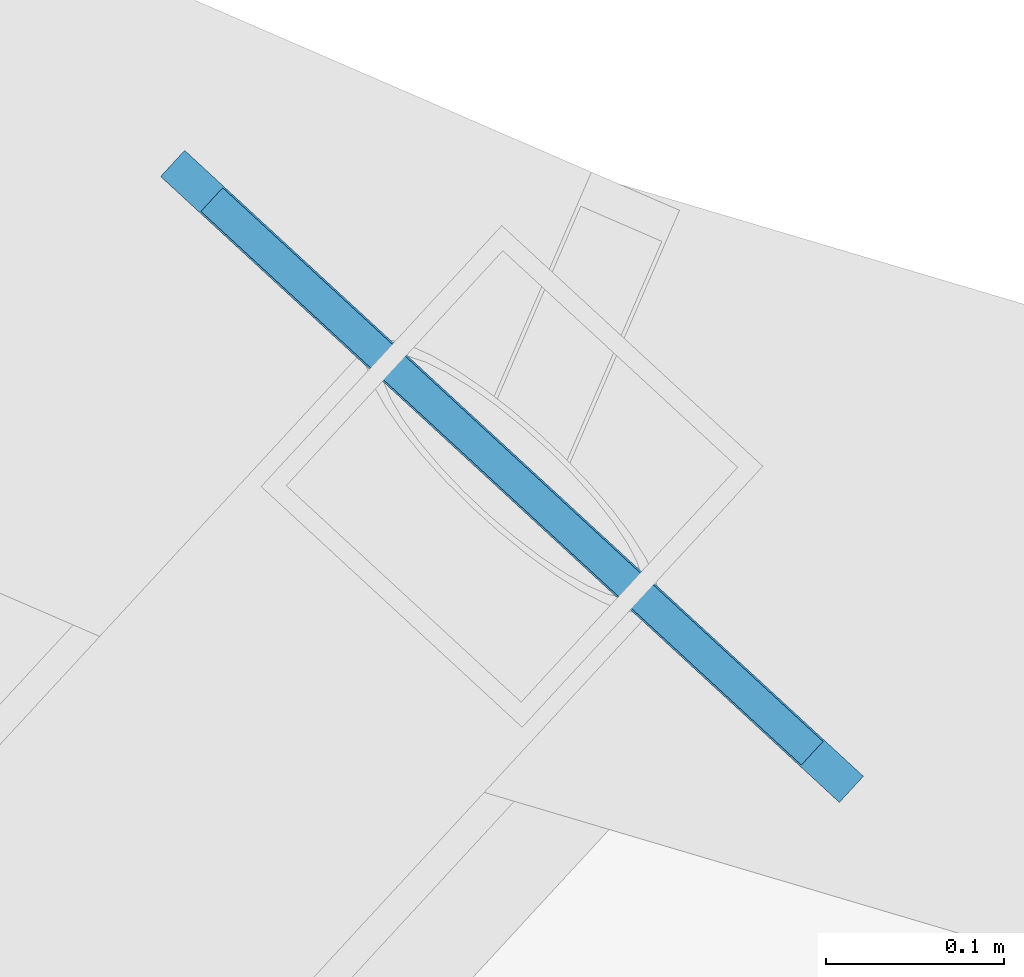
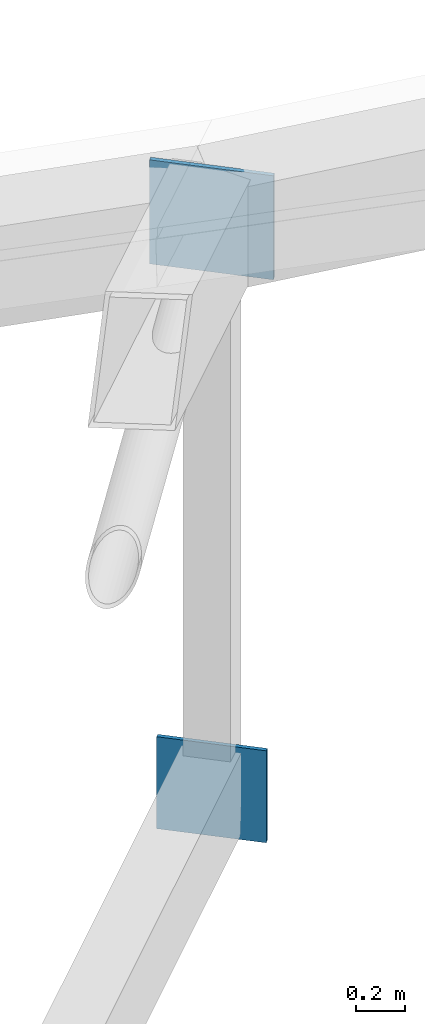
# One storey, part 114 of 143: 2 plates.
"""IFC4 building model written with IfcOpenShell, lengths in metres."""

from ifc_helpers import new_model, si_unit, direction, frame, origin, origin_2d, place, context, subcontext, project, spatial, rectangle, extrude, material, layer, layer_set, type_object, element, save


model = new_model("IFC4")

# Units and contexts
model_context = context("Model", 3, precision=1e-05, world=origin(), true_north=direction((0.0, 1.0)))
body_context = subcontext(model_context, "Body", "Model", "MODEL_VIEW")
ifc_project = project(units=[si_unit("LENGTHUNIT", "METRE"), si_unit("AREAUNIT", "SQUARE_METRE"), si_unit("VOLUMEUNIT", "CUBIC_METRE"), si_unit("PLANEANGLEUNIT", "RADIAN"), si_unit("MASSUNIT", "GRAM", prefix="KILO")], contexts=[model_context])

# Site, building, storey
site_placement = place(None, origin())
site = spatial("IfcSite", under=ifc_project, at=site_placement, CompositionType="ELEMENT")
building_placement = place(site_placement, origin())
building = spatial("IfcBuilding", under=site, at=building_placement, Name="Mphavela Belvedere Stadium", CompositionType="ELEMENT")
storey_placement = place(building_placement, frame((0.0, 0.0, 28.800048828125)))
storey = spatial("IfcBuildingStorey", under=building, at=storey_placement, Name="RF", CompositionType="ELEMENT", Elevation=28.800048828125)

# Plates
ifc_material_1 = material(Name="Steel S355", Category="steel")
ifc_layer_1 = layer(ifc_material_1, 0.01806640625)
ifc_layer_set_1 = layer_set([ifc_layer_1], Name="Steel S355")
plate_type_1 = type_object("IfcPlateType", Name="PLT-CAP-TRUSS-BC", PredefinedType="USERDEFINED", material=ifc_layer_set_1)
plate_1_placement = place(storey_placement, frame((78.20751953125, 47.095703125, 2.76611328125), z_axis=(0.0, 0.0, 1.0), x_axis=(-0.677903094969, -0.735151272753, 0.0)))
element("IfcPlate", 1, at=plate_1_placement, inside=storey, type_object=plate_type_1, Name="Roof truss RT-33 hollow-end cap plate in_bc", ObjectType="GUSSET_PLATE", PredefinedType="USERDEFINED", context=body_context, shape_type="SweptSolid", body=[
    extrude(rectangle(XDim=0.01806640625, YDim=0.4599609375, at=origin_2d()), origin(), (0.0, 0.0, 1.0), 0.4599609375),
])
ifc_material_2 = material(Name="Steel S355", Category="steel")
ifc_layer_2 = layer(ifc_material_2, 0.02001953125)
ifc_layer_set_2 = layer_set([ifc_layer_2], Name="Steel S355")
plate_type_2 = type_object("IfcPlateType", Name="PLT-CAP-TRUSS-TC", PredefinedType="USERDEFINED", material=ifc_layer_set_2)
plate_2_placement = place(storey_placement, frame((78.20751953125, 47.095703125, 5.586181640625), z_axis=(0.0, 0.0, 1.0), x_axis=(-0.677903094969, -0.735151272753, 0.0)))
element("IfcPlate", 2, at=plate_2_placement, inside=storey, type_object=plate_type_2, Name="Roof truss RT-33 hollow-end cap plate in_tc", ObjectType="GUSSET_PLATE", PredefinedType="USERDEFINED", context=body_context, shape_type="SweptSolid", body=[
    extrude(rectangle(XDim=0.02001953125, YDim=0.52001953125, at=origin_2d()), origin(), (0.0, 0.0, 1.0), 0.52001953125),
])

save(model, "model.ifc")
